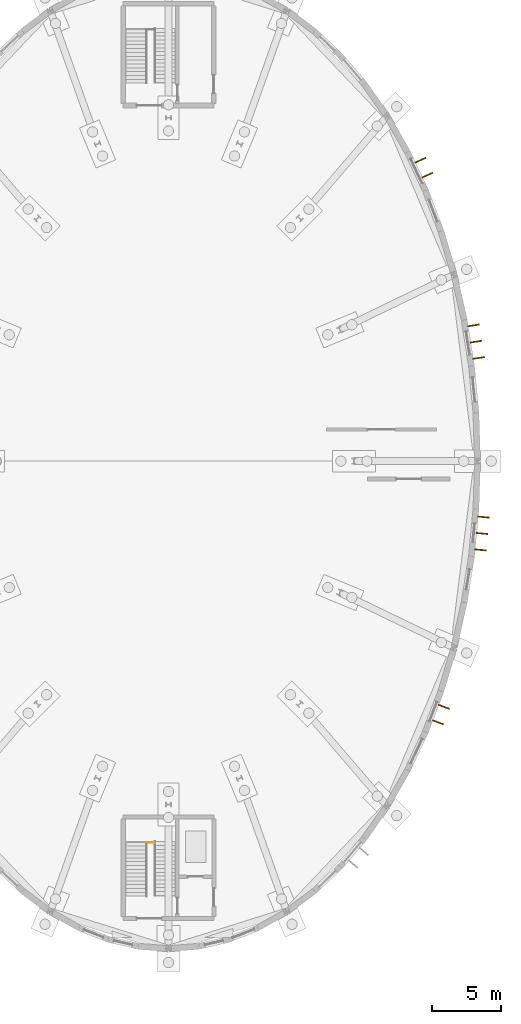
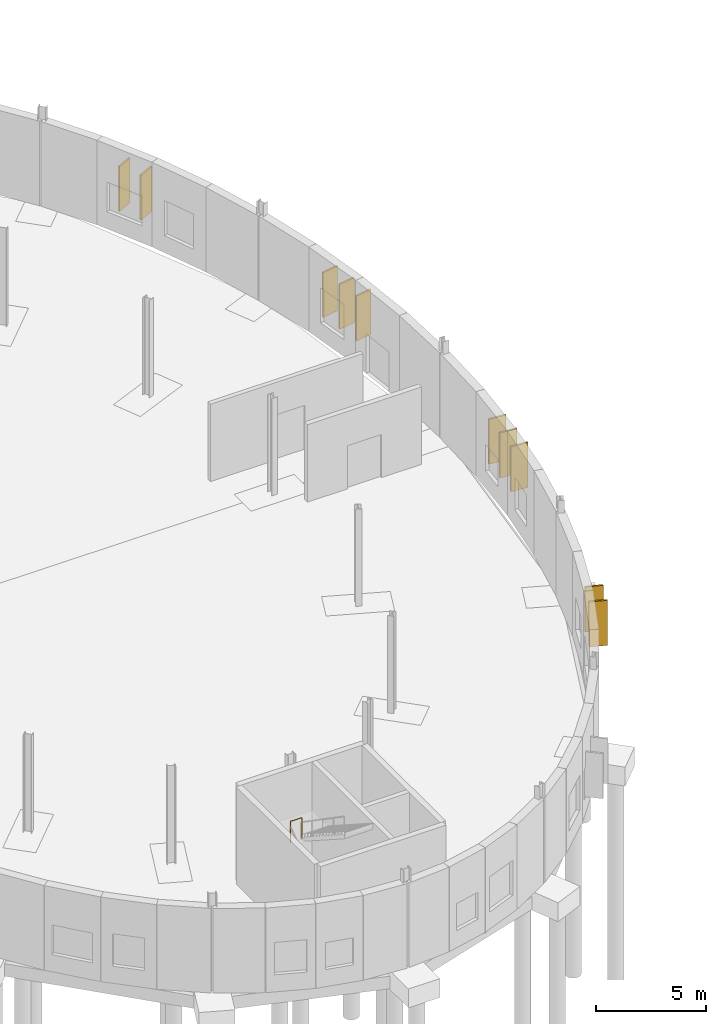
# One storey, part 115 of 118: 10 shading devices, 1 railing.
"""IFC4 building model written with IfcOpenShell, lengths in metres."""

import ifcopenshell
import ifcopenshell.guid

model = None  # the IFC model being written
_history = None  # IfcOwnerHistory: only IFC2X3 demands one
_inside = {}  # id of a spatial element -> (the spatial element, [elements in it])
_under = {}  # id of a project, library or spatial element -> (it, [spatial elements below it])
_declared = {}  # id of a project -> (the project, [libraries it declares])
_typed = {}  # id of a type object -> (the type object, [elements of that type])
_made_of = {}  # id of a material, layer set ... -> (it, [elements and type objects made of it])


def new_model(schema):
    """Start an empty IFC model of exactly this schema.

    Asked for "IFC4X3", IfcOpenShell would pick the latest addendum, in which some entities
    have other attributes; the version numbers below select the first issue.
    IFC2X3 requires an IfcOwnerHistory on every rooted entity: one is made here for all.
    """
    global model, _history
    if schema == "IFC4X3":
        model = ifcopenshell.file(schema_version=(4, 3, 0, 0))
    else:
        model = ifcopenshell.file(schema=schema)
    _inside.clear()
    _under.clear()
    _declared.clear()
    _typed.clear()
    _made_of.clear()
    _history = None
    if model.schema == "IFC2X3":
        org = make("IfcOrganization", Name="unknown")
        user = make(
            "IfcPersonAndOrganization",
            ThePerson=make("IfcPerson", FamilyName="unknown"),
            TheOrganization=org,
        )
        app = make(
            "IfcApplication",
            ApplicationDeveloper=org,
            Version="unknown",
            ApplicationFullName="unknown",
            ApplicationIdentifier="unknown",
        )
        _history = make(
            "IfcOwnerHistory",
            OwningUser=user,
            OwningApplication=app,
            ChangeAction="ADDED",
            CreationDate=0,
        )
    return model


def make(cls, **values):
    """One entity of the class cls with the attributes given. An attribute that is None is left unset."""
    return model.create_entity(
        cls, **{name: value for name, value in values.items() if value is not None}
    )


def rooted(cls, **values):
    """An entity with a GlobalId (a new one), such as an element, a storey or a relation."""
    return make(cls, GlobalId=ifcopenshell.guid.new(), OwnerHistory=_history, **values)


def si_unit(unit_type, name, prefix=None):
    """IfcSIUnit, for example si_unit("LENGTHUNIT", "METRE", prefix="MILLI")."""
    return make("IfcSIUnit", UnitType=unit_type, Prefix=prefix, Name=name)


def assignment(units):
    """IfcUnitAssignment: the units of a project."""
    return None if units is None else make("IfcUnitAssignment", Units=units)


def point(xyz):
    """IfcCartesianPoint."""
    return None if xyz is None else make("IfcCartesianPoint", Coordinates=xyz)


def direction(xyz):
    """IfcDirection."""
    return None if xyz is None else make("IfcDirection", DirectionRatios=xyz)


def frame(location, z_axis=None, x_axis=None):
    """IfcAxis2Placement3D, a coordinate frame: its origin and axes. An axis left out is left unset."""
    return make(
        "IfcAxis2Placement3D",
        Location=point(location),
        Axis=direction(z_axis),
        RefDirection=direction(x_axis),
    )


def frame_2d(location, x_axis=None):
    """IfcAxis2Placement2D, a coordinate frame in the plane: its origin and x axis."""
    return make(
        "IfcAxis2Placement2D", Location=point(location), RefDirection=direction(x_axis)
    )


def origin():
    """The frame at (0, 0, 0) with its axes left unset."""
    return frame((0.0, 0.0, 0.0))


def origin_2d():
    """The frame at (0, 0) in the plane with its x axis left unset."""
    return frame_2d((0.0, 0.0))


def place(relative_to, where):
    """IfcLocalPlacement: puts the frame where relative to a parent placement (None: the world)."""
    return make(
        "IfcLocalPlacement", PlacementRelTo=relative_to, RelativePlacement=where
    )


def context(
    kind, dimensions, precision=None, world=None, true_north=None, identifier=None
):
    """IfcGeometricRepresentationContext, for example the 3D "Model" context."""
    return make(
        "IfcGeometricRepresentationContext",
        ContextIdentifier=identifier,
        ContextType=kind,
        CoordinateSpaceDimension=dimensions,
        Precision=precision,
        WorldCoordinateSystem=world,
        TrueNorth=true_north,
    )


def subcontext(parent, identifier, kind, view, scale=None):
    """IfcGeometricRepresentationSubContext, for example "Body" below "Model"."""
    return make(
        "IfcGeometricRepresentationSubContext",
        ContextIdentifier=identifier,
        ContextType=kind,
        ParentContext=parent,
        TargetScale=scale,
        TargetView=view,
    )


def project(units=None, contexts=None):
    """IfcProject with its units and contexts."""
    return rooted(
        "IfcProject",
        Name="project",
        RepresentationContexts=contexts,
        UnitsInContext=assignment(units),
    )


def spatial(cls, under=None, at=None, **own):
    """A site, building, storey or space (cls), placed at a placement, below another one or the project."""
    s = rooted(cls, ObjectPlacement=at, **own)
    if under is not None:
        _under.setdefault(under.id(), (under, []))[1].append(s)
    return s


def profile(cls, at=None, kind="AREA", **sizes):
    """A parametric profile (cls). Its sizes go by their IFC names, for example OverallWidth=200.0."""
    return make(cls, ProfileType=kind, Position=at, **sizes)


def rectangle(**sizes):
    """IfcRectangleProfileDef."""
    return profile("IfcRectangleProfileDef", **sizes)


def circle(**sizes):
    """IfcCircleProfileDef."""
    return profile("IfcCircleProfileDef", **sizes)


def extrude(swept, where, along, depth):
    """IfcExtrudedAreaSolid: the profile swept, set in the frame where, extruded along a direction by depth."""
    return make(
        "IfcExtrudedAreaSolid",
        SweptArea=swept,
        Position=where,
        ExtrudedDirection=direction(along),
        Depth=depth,
    )


def shape(context_of_items, identifier, shape_type, items):
    """IfcShapeRepresentation: the items that make up one representation, for example the "Body"."""
    return make(
        "IfcShapeRepresentation",
        ContextOfItems=context_of_items,
        RepresentationIdentifier=identifier,
        RepresentationType=shape_type,
        Items=items,
    )


def material(Name=None, Category=None):
    """IfcMaterial."""
    return make("IfcMaterial", Name=Name, Category=Category)


def layer(
    of_material, thickness, ventilated=None, Name=None, Category=None, Priority=None
):
    """IfcMaterialLayer: one layer of a wall or slab, of a material (None: an air gap)."""
    return make(
        "IfcMaterialLayer",
        Material=of_material,
        LayerThickness=thickness,
        IsVentilated=ventilated,
        Name=Name,
        Category=Category,
        Priority=Priority,
    )


def layer_set(layers, Name=None):
    """IfcMaterialLayerSet."""
    return make("IfcMaterialLayerSet", MaterialLayers=layers, LayerSetName=Name)


def made_of(thing, what):
    """Note that an element or type object is made of a material, layer set ...; save() writes the relation."""
    if what is not None:
        _made_of.setdefault(what.id(), (what, []))[1].append(thing)
    return thing


def type_object(cls, material=None, **own):
    """A type object (cls), such as IfcWallType, which elements share."""
    return made_of(rooted(cls, **own), material)


def element(
    cls,
    number,
    at=None,
    inside=None,
    cuts=None,
    type_object=None,
    material=None,
    context=None,
    identifier="Body",
    shape_type=None,
    held_by="IfcProductDefinitionShape",
    body=None,
    shapes=None,
    **own,
):
    """One element of the class cls, such as IfcWall. Its Tag is "e" and its number.

    at: its placement. inside: the storey or other place that contains it. cuts: it is an
    opening in that element (IfcRelVoidsElement). A single representation is given by context,
    identifier, shape_type and body (its items); several are given by shapes. held_by: the class
    of the entity that holds the representations. save() writes the other relations.
    """
    e = rooted(cls, Tag="e%d" % number, ObjectPlacement=at, **own)
    if body is not None:
        shapes = [shape(context, identifier, shape_type, body)]
    if shapes is not None:
        e.Representation = make(held_by, Representations=shapes)
    if inside is not None:
        _inside.setdefault(inside.id(), (inside, []))[1].append(e)
    if cuts is not None:
        rooted(
            "IfcRelVoidsElement", RelatingBuildingElement=cuts, RelatedOpeningElement=e
        )
    if type_object is not None:
        _typed.setdefault(type_object.id(), (type_object, []))[1].append(e)
    return made_of(e, material)


def aggregate(whole, parts):
    """IfcRelAggregates: a whole, such as a stair, and the parts it consists of."""
    return rooted("IfcRelAggregates", RelatingObject=whole, RelatedObjects=parts)


def save(model, path):
    """Write the relations noted so far, then the file.

    IfcRelAggregates (storeys below a building ...), IfcRelContainedInSpatialStructure (elements
    in a storey), IfcRelDefinesByType, IfcRelAssociatesMaterial and IfcRelDeclares: one each for
    every whole, place, type object, material and project.
    """
    for whole, parts in _under.values():
        aggregate(whole, parts)
    for where, things in _inside.values():
        rooted(
            "IfcRelContainedInSpatialStructure",
            RelatedElements=things,
            RelatingStructure=where,
        )
    for kind, things in _typed.values():
        rooted("IfcRelDefinesByType", RelatedObjects=things, RelatingType=kind)
    for what, things in _made_of.values():
        rooted("IfcRelAssociatesMaterial", RelatedObjects=things, RelatingMaterial=what)
    for by, libraries in _declared.values():
        rooted("IfcRelDeclares", RelatingContext=by, RelatedDefinitions=libraries)
    model.write(path)


model = new_model("IFC4")

# Units and contexts
model_context = context("Model", 3, precision=1e-05, world=origin(), true_north=direction((0.0, 1.0)))
body_context = subcontext(model_context, "Body", "Model", "MODEL_VIEW")
ifc_project = project(units=[si_unit("LENGTHUNIT", "METRE"), si_unit("AREAUNIT", "SQUARE_METRE"), si_unit("VOLUMEUNIT", "CUBIC_METRE"), si_unit("PLANEANGLEUNIT", "RADIAN"), si_unit("MASSUNIT", "GRAM", prefix="KILO")], contexts=[model_context])

# Site, building, storey
site_placement = place(None, origin())
site = spatial("IfcSite", under=ifc_project, at=site_placement, CompositionType="ELEMENT")
building_placement = place(site_placement, origin())
building = spatial("IfcBuilding", under=site, at=building_placement, Name="Kildeholm Park Wholesale Market", CompositionType="ELEMENT")
storey_placement = place(building_placement, origin())
storey = spatial("IfcBuildingStorey", under=building, at=storey_placement, Name="L00", CompositionType="ELEMENT", Elevation=0.0)

# Shading devices
ifc_material_1 = material(Name="Glazed ceramic and anodised aluminium brise-soleil", Category="aluminium")
ifc_layer = layer(ifc_material_1, 0.090087890625)
ifc_layer_set = layer_set([ifc_layer], Name="Glazed ceramic and anodised aluminium brise-soleil")
shading_device_type = type_object("IfcShadingDeviceType", Name="Brise-soleil solar fin SH-FIN2 850x90", PredefinedType="USERDEFINED", material=ifc_layer_set)
for number, where, z_axis, x_axis, name in (
    (1, (210.5869140625, 102.015625, 0.89990234375), (0.0, 0.0, 1.0), (0.98765008696, 0.156675798157, 0.0), "Brise-soleil fin V2-00.1 SHD-0055"),
    (2, (210.39892578125, 103.20068359375, 0.89990234375), (0.0, 0.0, 1.0), (0.98765008696, 0.156675798157, 0.0), "Brise-soleil fin V2-00.2 SHD-0056"),
    (3, (210.2109375, 104.385986328125, 0.89990234375), (0.0, 0.0, 1.0), (0.98765008696, 0.156675798157, 0.0), "Brise-soleil fin V2-00.3 SHD-0057"),
    (4, (206.857666015625, 115.32763671875, 0.89990234375), (0.0, 0.0, 1.0), (0.905161179634, 0.425068510812, 0.0), "Brise-soleil fin V2-01.1 SHD-0058"),
    (5, (206.34765625, 116.413818359375, 0.89990234375), (0.0, 0.0, 1.0), (0.905161179634, 0.425068510812, 0.0), "Brise-soleil fin V2-01.2 SHD-0059"),
    (6, (207.624755859375, 75.485595703125, 0.89990234375), (0.0, 0.0, 1.0), (0.934701663732, -0.355433256487, 0.0), "Brise-soleil fin V2-14.1 SHD-0064"),
    (7, (208.05126953125, 76.607421875, 0.89990234375), (0.0, 0.0, 1.0), (0.934701663732, -0.355433256487, 0.0), "Brise-soleil fin V2-14.2 SHD-0065"),
    (8, (210.718994140625, 88.03564453125, 0.89990234375), (0.0, 0.0, 1.0), (0.995612736379, -0.09356964871, 0.0), "Brise-soleil fin V2-15.1 SHD-0066"),
    (9, (210.831298828125, 89.23046875, 0.89990234375), (0.0, 0.0, 1.0), (0.995612736379, -0.09356964871, 0.0), "Brise-soleil fin V2-15.2 SHD-0067"),
    (10, (210.943603515625, 90.425048828125, 0.89990234375), (0.0, 0.0, 1.0), (0.995612736379, -0.09356964871, 0.0), "Brise-soleil fin V2-15.3 SHD-0068"),
):
    element("IfcShadingDevice", number, at=place(storey_placement, frame(where, z_axis=z_axis, x_axis=x_axis)), inside=storey, type_object=shading_device_type, Name=name, ObjectType="SOLAR FIN", PredefinedType="USERDEFINED", context=body_context, shape_type="SweptSolid", body=[
        extrude(rectangle(XDim=0.85009765625, YDim=0.090087890625, at=origin_2d()), origin(), (0.0, 0.0, 1.0), 2.5),
    ])

# Railing
ifc_material_2 = material(Name="Painted steel and laminated glass balustrade", Category="steel")
railing_type = type_object("IfcRailingType", Name="Interior gallery and stairwell guard GR-IN1 1200 mm", PredefinedType="GUARDRAIL", material=ifc_material_2)
railing_placement = place(storey_placement, frame((186.39990234375, 66.72998046875, 2.699951171875)))
element("IfcRailing", 11, at=railing_placement, inside=storey, type_object=railing_type, Name="Stair C12 half-landing well guard L00 RLG-0130", PredefinedType="GUARDRAIL", context=body_context, shape_type="SweptSolid", body=[
    extrude(circle(Radius=0.02392578125, at=origin_2d()), frame((0.0, 0.0, 1.17578125), z_axis=(1.0, 0.0, 0.0), x_axis=(0.0, 1.0, 0.0)), (0.0, 0.0, 1.0), 0.610107421875),
    extrude(circle(Radius=0.02099609375, at=origin_2d()), origin(), (0.0, 0.0, 1.0), 1.15185546875),
    extrude(circle(Radius=0.02099609375, at=origin_2d()), frame((0.610107421875, 0.0, 0.0)), (0.0, 0.0, 1.0), 1.15185546875),
])

save(model, "model.ifc")
